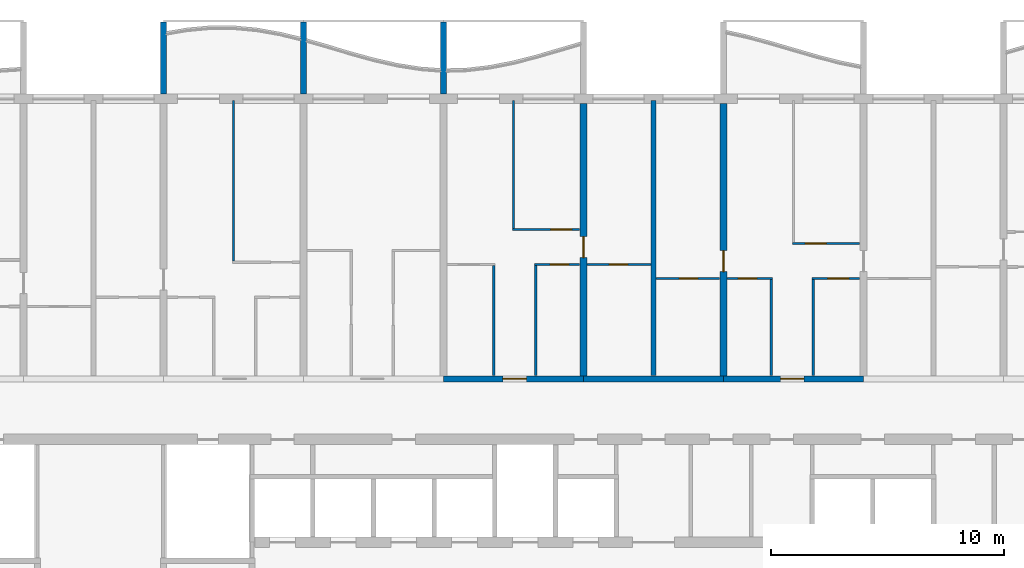
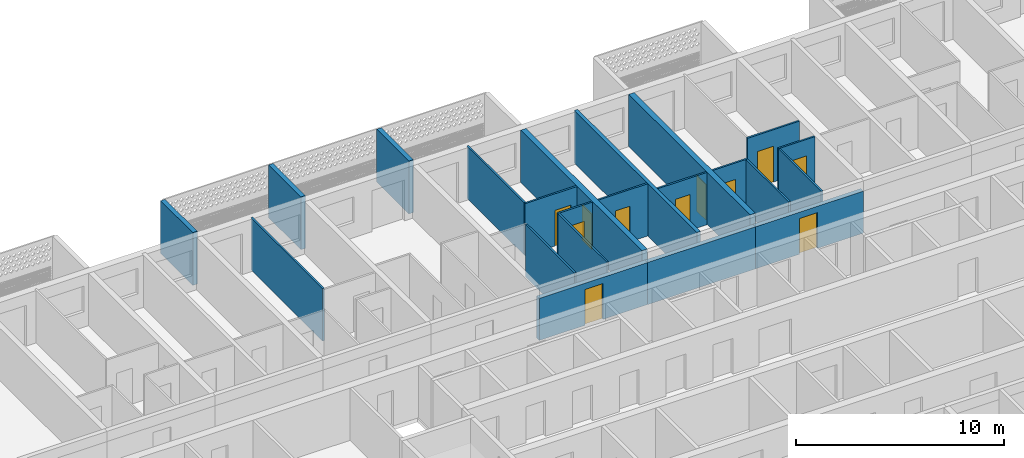
# One storey, part 10 of 33: 22 walls, 11 doors, 11 openings.
"""IFC4 building model written with IfcOpenShell, lengths in metres."""

from ifc_helpers import new_model, si_unit, direction, frame, frame_2d, origin, place, context, subcontext, project, spatial, polyline, rectangle, outline, extrude, source, transform, mapped, material, layer, layer_set, type_object, element, fill, save


model = new_model("IFC4")

# Units and contexts
model_context = context("Model", 3, precision=1e-05, world=origin(), true_north=direction((0.0, 1.0)))
body_context = subcontext(model_context, "Body", "Model", "MODEL_VIEW")
ifc_project = project(units=[si_unit("LENGTHUNIT", "METRE"), si_unit("AREAUNIT", "SQUARE_METRE"), si_unit("VOLUMEUNIT", "CUBIC_METRE"), si_unit("PLANEANGLEUNIT", "RADIAN"), si_unit("MASSUNIT", "GRAM", prefix="KILO")], contexts=[model_context])

# Site, building, storey
site_placement = place(None, origin())
site = spatial("IfcSite", under=ifc_project, at=site_placement, CompositionType="ELEMENT")
building_placement = place(site_placement, origin())
building = spatial("IfcBuilding", under=site, at=building_placement, Name="Poui Terraces", CompositionType="ELEMENT")
storey_placement = place(building_placement, frame((0.0, 0.0, 132.300048828125)))
storey = spatial("IfcBuildingStorey", under=building, at=storey_placement, Name="L36", CompositionType="ELEMENT", Elevation=132.300048828125)

# Wall, opening, door
ifc_material_1 = material(Name="Concrete 65 MPa", Category="concrete")
ifc_layer_1 = layer(ifc_material_1, 0.25)
ifc_layer_set_1 = layer_set([ifc_layer_1], Name="Concrete 65 MPa")
wall_type_1 = type_object("IfcWallType", Name="CORRIDOR WALL 250 65MPa", PredefinedType="SHEAR", material=ifc_layer_set_1)
wall_1_placement = place(storey_placement, frame((42.0, 30.39990234375, 0.0), z_axis=(0.0, 0.0, 1.0), x_axis=(1.0, 0.0, 0.0)))
wall_1 = element("IfcWall", 1, at=wall_1_placement, inside=storey, type_object=wall_type_1, Name="CORRIDOR WALL LINE E BAY 6", PredefinedType="SHEAR", context=body_context, shape_type="SweptSolid", body=[
    extrude(rectangle(XDim=6.0, YDim=0.25, at=frame_2d((3.0, 0.0))), origin(), (0.0, 0.0, 1.0), 2.469970703125),
])
opening_1_placement = place(wall_1_placement, frame((2.550048828125, 0.0, 0.0)))
opening_1 = element("IfcOpeningElement", 2, at=opening_1_placement, cuts=wall_1, Name="Opening FD30S", PredefinedType="OPENING", context=body_context, shape_type="SweptSolid", body=[
    extrude(rectangle(XDim=1.0, YDim=2.10009765625, at=frame_2d((0.5, 1.050048828125))), frame((0.0, 0.135009765625, 0.0), z_axis=(0.0, -1.0, 0.0), x_axis=(1.0, 0.0, 0.0)), (0.0, 0.0, 1.0), 0.27001953125),
])
ifc_material_2 = material(Name="Steel fire door", Category="steel")
door_type_1 = type_object("IfcDoorType", Name="FLAT ENTRANCE DOOR 1000 X 2100", OperationType="NOTDEFINED", PredefinedType="DOOR", material=ifc_material_2)
door_1_placement = place(opening_1_placement, origin())
door_1 = element("IfcDoor", 3, at=door_1_placement, inside=storey, type_object=door_type_1, Name="FLAT ENTRANCE DOOR 049", OperationType="SINGLE_SWING_RIGHT", OverallHeight=2.10009765625, OverallWidth=1.0, PredefinedType="DOOR", context=body_context, shape_type="SweptSolid", body=[
    extrude(rectangle(XDim=1.0, YDim=2.10009765625, at=frame_2d((0.5, 1.050048828125))), frame((0.0, 0.02490234375, 0.0), z_axis=(0.0, -1.0, 0.0), x_axis=(1.0, 0.0, 0.0)), (0.0, 0.0, 1.0), 0.050048828125),
])
fill(opening_1, door_1)

# Wall
wall_2_placement = place(storey_placement, frame((48.0, 30.39990234375, 0.0), z_axis=(0.0, 0.0, 1.0), x_axis=(1.0, 0.0, 0.0)))
element("IfcWall", 4, at=wall_2_placement, inside=storey, type_object=wall_type_1, Name="CORRIDOR WALL LINE E BAY 7", PredefinedType="SHEAR", context=body_context, shape_type="SweptSolid", body=[
    extrude(rectangle(XDim=6.0, YDim=0.25, at=frame_2d((3.0, 0.0))), origin(), (0.0, 0.0, 1.0), 2.469970703125),
])

# Wall, opening, door
wall_3_placement = place(storey_placement, frame((54.0, 30.39990234375, 0.0), z_axis=(0.0, 0.0, 1.0), x_axis=(1.0, 0.0, 0.0)))
wall_3 = element("IfcWall", 5, at=wall_3_placement, inside=storey, type_object=wall_type_1, Name="CORRIDOR WALL LINE E BAY 8", PredefinedType="SHEAR", context=body_context, shape_type="SweptSolid", body=[
    extrude(rectangle(XDim=6.0, YDim=0.25, at=frame_2d((3.0, 0.0))), origin(), (0.0, 0.0, 1.0), 2.469970703125),
])
opening_2_placement = place(wall_3_placement, frame((2.449951171875, 0.0, 0.0)))
opening_2 = element("IfcOpeningElement", 6, at=opening_2_placement, cuts=wall_3, Name="Opening FD30S", PredefinedType="OPENING", context=body_context, shape_type="SweptSolid", body=[
    extrude(rectangle(XDim=1.0, YDim=2.10009765625, at=frame_2d((0.5, 1.050048828125))), frame((0.0, 0.135009765625, 0.0), z_axis=(0.0, -1.0, 0.0), x_axis=(1.0, 0.0, 0.0)), (0.0, 0.0, 1.0), 0.27001953125),
])
door_2_placement = place(opening_2_placement, origin())
door_2 = element("IfcDoor", 7, at=door_2_placement, inside=storey, type_object=door_type_1, Name="FLAT ENTRANCE DOOR 057", OperationType="SINGLE_SWING_LEFT", OverallHeight=2.10009765625, OverallWidth=1.0, PredefinedType="DOOR", context=body_context, shape_type="SweptSolid", body=[
    extrude(rectangle(XDim=1.0, YDim=2.10009765625, at=frame_2d((0.5, 1.050048828125))), frame((0.0, 0.02490234375, 0.0), z_axis=(0.0, -1.0, 0.0), x_axis=(1.0, 0.0, 0.0)), (0.0, 0.0, 1.0), 0.050048828125),
])
fill(opening_2, door_2)

ifc_layer_2 = layer(ifc_material_1, 0.300048828125)
ifc_layer_set_2 = layer_set([ifc_layer_2], Name="Concrete 65 MPa")
wall_type_2 = type_object("IfcWallType", Name="CROSS WALL 300 65MPa", PredefinedType="SHEAR", material=ifc_layer_set_2)
wall_4_placement = place(storey_placement, frame((48.0, 30.52490234375, 0.0), z_axis=(0.0, 0.0, 1.0), x_axis=(0.0, 1.0, 0.0)))
wall_4 = element("IfcWall", 8, at=wall_4_placement, inside=storey, type_object=wall_type_2, Name="CROSS WALL LINE 9 NORTH", PredefinedType="SHEAR", context=body_context, shape_type="SweptSolid", body=[
    extrude(rectangle(XDim=11.675048828125, YDim=0.300048828125, at=frame_2d((5.83740234375, 0.0))), origin(), (0.0, 0.0, 1.0), 3.070068359375),
])
opening_3_placement = place(wall_4_placement, frame((5.074951171875, 0.0, 0.0)))
opening_3 = element("IfcOpeningElement", 9, at=opening_3_placement, cuts=wall_4, Name="Opening D90", PredefinedType="OPENING", context=body_context, shape_type="SweptSolid", body=[
    extrude(rectangle(XDim=0.89990234375, YDim=2.10009765625, at=frame_2d((0.449951171875, 1.050048828125))), frame((0.0, 0.16015625, 0.0), z_axis=(0.0, -1.0, 0.0), x_axis=(1.0, 0.0, 0.0)), (0.0, 0.0, 1.0), 0.320068359375),
])
ifc_material_3 = material(Name="Solid core timber door", Category="wood")
door_type_2 = type_object("IfcDoorType", Name="INTERNAL DOOR 900 X 2100", OperationType="NOTDEFINED", PredefinedType="DOOR", material=ifc_material_3)
door_3_placement = place(opening_3_placement, frame((0.89990234375, 0.0, 0.0), z_axis=(0.0, 0.0, 1.0), x_axis=(-1.0, 0.0, 0.0)))
door_3 = element("IfcDoor", 10, at=door_3_placement, inside=storey, type_object=door_type_2, Name="INTERNAL DOOR 052", OperationType="SINGLE_SWING_RIGHT", OverallHeight=2.10009765625, OverallWidth=0.89990234375, PredefinedType="DOOR", context=body_context, shape_type="SweptSolid", body=[
    extrude(rectangle(XDim=0.89990234375, YDim=2.10009765625, at=frame_2d((0.449951171875, 1.050048828125))), frame((0.0, 0.02490234375, 0.0), z_axis=(0.0, -1.0, 0.0), x_axis=(1.0, 0.0, 0.0)), (0.0, 0.0, 1.0), 0.050048828125),
])
fill(opening_3, door_3)

wall_5_placement = place(storey_placement, frame((54.0, 30.52490234375, 0.0), z_axis=(0.0, 0.0, 1.0), x_axis=(0.0, 1.0, 0.0)))
wall_5 = element("IfcWall", 11, at=wall_5_placement, inside=storey, type_object=wall_type_2, Name="CROSS WALL LINE 10 NORTH", PredefinedType="SHEAR", context=body_context, shape_type="SweptSolid", body=[
    extrude(rectangle(XDim=11.675048828125, YDim=0.300048828125, at=frame_2d((5.83740234375, 0.0))), origin(), (0.0, 0.0, 1.0), 3.070068359375),
])
opening_4_placement = place(wall_5_placement, frame((4.47509765625, 0.0, 0.0)))
opening_4 = element("IfcOpeningElement", 12, at=opening_4_placement, cuts=wall_5, Name="Opening D90", PredefinedType="OPENING", context=body_context, shape_type="SweptSolid", body=[
    extrude(rectangle(XDim=0.89990234375, YDim=2.10009765625, at=frame_2d((0.449951171875, 1.050048828125))), frame((0.0, 0.16015625, 0.0), z_axis=(0.0, -1.0, 0.0), x_axis=(1.0, 0.0, 0.0)), (0.0, 0.0, 1.0), 0.320068359375),
])
door_4_placement = place(opening_4_placement, origin())
door_4 = element("IfcDoor", 13, at=door_4_placement, inside=storey, type_object=door_type_2, Name="INTERNAL DOOR 055", OperationType="SINGLE_SWING_LEFT", OverallHeight=2.10009765625, OverallWidth=0.89990234375, PredefinedType="DOOR", context=body_context, shape_type="SweptSolid", body=[
    extrude(rectangle(XDim=0.89990234375, YDim=2.10009765625, at=frame_2d((0.449951171875, 1.050048828125))), frame((0.0, 0.02490234375, 0.0), z_axis=(0.0, -1.0, 0.0), x_axis=(1.0, 0.0, 0.0)), (0.0, 0.0, 1.0), 0.050048828125),
])
fill(opening_4, door_4)

ifc_material_4 = material(Name="Plasterboard partition")
ifc_layer_3 = layer(ifc_material_4, 0.10009765625)
ifc_layer_set_3 = layer_set([ifc_layer_3], Name="Plasterboard partition")
wall_type_3 = type_object("IfcWallType", Name="FLAT PARTITION 100", PredefinedType="PARTITIONING", material=ifc_layer_set_3)
wall_6_placement = place(storey_placement, frame((51.10009765625, 34.699951171875, 0.0), z_axis=(0.0, 0.0, 1.0), x_axis=(1.0, 0.0, 0.0)))
wall_6 = element("IfcWall", 14, at=wall_6_placement, inside=storey, type_object=wall_type_3, Name="FLAT PARTITION 100", PredefinedType="PARTITIONING", context=body_context, shape_type="SweptSolid", body=[
    extrude(rectangle(XDim=2.739990234375, YDim=0.10009765625, at=frame_2d((1.3701171875, 0.0))), origin(), (0.0, 0.0, 1.0), 3.070068359375),
])
opening_5_placement = place(wall_6_placement, frame((1.0, 0.0, 0.0)))
opening_5 = element("IfcOpeningElement", 15, at=opening_5_placement, cuts=wall_6, Name="Opening D80", PredefinedType="OPENING", context=body_context, shape_type="SweptSolid", body=[
    extrude(rectangle(XDim=0.800048828125, YDim=2.10009765625, at=frame_2d((0.39990234375, 1.050048828125))), frame((0.0, 0.06005859375, 0.0), z_axis=(0.0, -1.0, 0.0), x_axis=(1.0, 0.0, 0.0)), (0.0, 0.0, 1.0), 0.1201171875),
])
door_type_3 = type_object("IfcDoorType", Name="BATHROOM, LAUNDRY AND STORE DOOR 800 X 2100", OperationType="NOTDEFINED", PredefinedType="DOOR", material=ifc_material_3)
door_5_placement = place(opening_5_placement, frame((0.800048828125, 0.0, 0.0), z_axis=(0.0, 0.0, 1.0), x_axis=(-1.0, 0.0, 0.0)))
door_5 = element("IfcDoor", 16, at=door_5_placement, inside=storey, type_object=door_type_3, Name="BATHROOM, LAUNDRY AND STORE DOOR 053", OperationType="SINGLE_SWING_LEFT", OverallHeight=2.10009765625, OverallWidth=0.800048828125, PredefinedType="DOOR", context=body_context, shape_type="SweptSolid", body=[
    extrude(rectangle(XDim=0.800048828125, YDim=2.10009765625, at=frame_2d((0.39990234375, 1.050048828125))), frame((0.0, 0.02490234375, 0.0), z_axis=(0.0, -1.0, 0.0), x_axis=(1.0, 0.0, 0.0)), (0.0, 0.0, 1.0), 0.050048828125),
])
fill(opening_5, door_5)

wall_7_placement = place(storey_placement, frame((54.159912109375, 34.699951171875, 0.0), z_axis=(0.0, 0.0, 1.0), x_axis=(1.0, 0.0, 0.0)))
wall_7 = element("IfcWall", 17, at=wall_7_placement, inside=storey, type_object=wall_type_3, Name="FLAT PARTITION 100", PredefinedType="PARTITIONING", context=body_context, shape_type="SweptSolid", body=[
    extrude(rectangle(XDim=1.940185546875, YDim=0.10009765625, at=frame_2d((0.97021484375, 0.0))), origin(), (0.0, 0.0, 1.0), 3.070068359375),
])
opening_6_placement = place(wall_7_placement, frame((0.465087890625, 0.0, 0.0)))
opening_6 = element("IfcOpeningElement", 18, at=opening_6_placement, cuts=wall_7, Name="Opening D80", PredefinedType="OPENING", context=body_context, shape_type="SweptSolid", body=[
    extrude(rectangle(XDim=0.800048828125, YDim=2.10009765625, at=frame_2d((0.39990234375, 1.050048828125))), frame((0.0, 0.06005859375, 0.0), z_axis=(0.0, -1.0, 0.0), x_axis=(1.0, 0.0, 0.0)), (0.0, 0.0, 1.0), 0.1201171875),
])
door_6_placement = place(opening_6_placement, frame((0.800048828125, 0.0, 0.0), z_axis=(0.0, 0.0, 1.0), x_axis=(-1.0, 0.0, 0.0)))
door_6 = element("IfcDoor", 19, at=door_6_placement, inside=storey, type_object=door_type_3, Name="BATHROOM, LAUNDRY AND STORE DOOR 056", OperationType="SINGLE_SWING_LEFT", OverallHeight=2.10009765625, OverallWidth=0.800048828125, PredefinedType="DOOR", context=body_context, shape_type="SweptSolid", body=[
    extrude(rectangle(XDim=0.800048828125, YDim=2.10009765625, at=frame_2d((0.39990234375, 1.050048828125))), frame((0.0, 0.02490234375, 0.0), z_axis=(0.0, -1.0, 0.0), x_axis=(1.0, 0.0, 0.0)), (0.0, 0.0, 1.0), 0.050048828125),
])
fill(opening_6, door_6)

wall_8_placement = place(storey_placement, frame((57.800048828125, 34.699951171875, 0.0), z_axis=(0.0, 0.0, 1.0), x_axis=(1.0, 0.0, 0.0)))
wall_8 = element("IfcWall", 20, at=wall_8_placement, inside=storey, type_object=wall_type_3, Name="FLAT PARTITION 100", PredefinedType="PARTITIONING", context=body_context, shape_type="SweptSolid", body=[
    extrude(rectangle(XDim=2.0400390625, YDim=0.10009765625, at=frame_2d((1.02001953125, 0.0))), origin(), (0.0, 0.0, 1.0), 3.070068359375),
])
opening_7_placement = place(wall_8_placement, frame((0.675048828125, 0.0, 0.0)))
opening_7 = element("IfcOpeningElement", 21, at=opening_7_placement, cuts=wall_8, Name="Opening D90", PredefinedType="OPENING", context=body_context, shape_type="SweptSolid", body=[
    extrude(rectangle(XDim=0.89990234375, YDim=2.10009765625, at=frame_2d((0.449951171875, 1.050048828125))), frame((0.0, 0.06005859375, 0.0), z_axis=(0.0, -1.0, 0.0), x_axis=(1.0, 0.0, 0.0)), (0.0, 0.0, 1.0), 0.1201171875),
])
door_7_placement = place(opening_7_placement, frame((0.89990234375, 0.0, 0.0), z_axis=(0.0, 0.0, 1.0), x_axis=(-1.0, 0.0, 0.0)))
door_7 = element("IfcDoor", 22, at=door_7_placement, inside=storey, type_object=door_type_2, Name="INTERNAL DOOR 059", OperationType="SINGLE_SWING_RIGHT", OverallHeight=2.10009765625, OverallWidth=0.89990234375, PredefinedType="DOOR", context=body_context, shape_type="SweptSolid", body=[
    extrude(rectangle(XDim=0.89990234375, YDim=2.10009765625, at=frame_2d((0.449951171875, 1.050048828125))), frame((0.0, 0.02490234375, 0.0), z_axis=(0.0, -1.0, 0.0), x_axis=(1.0, 0.0, 0.0)), (0.0, 0.0, 1.0), 0.050048828125),
])
fill(opening_7, door_7)

wall_9_placement = place(storey_placement, frame((45.89990234375, 35.300048828125, 0.0), z_axis=(0.0, 0.0, 1.0), x_axis=(1.0, 0.0, 0.0)))
wall_9 = element("IfcWall", 23, at=wall_9_placement, inside=storey, type_object=wall_type_3, Name="FLAT PARTITION 100", PredefinedType="PARTITIONING", context=body_context, shape_type="SweptSolid", body=[
    extrude(rectangle(XDim=1.940185546875, YDim=0.10009765625, at=frame_2d((0.97021484375, 0.0))), origin(), (0.0, 0.0, 1.0), 3.070068359375),
])
opening_8_placement = place(wall_9_placement, frame((0.675048828125, 0.0, 0.0)))
opening_8 = element("IfcOpeningElement", 24, at=opening_8_placement, cuts=wall_9, Name="Opening D80", PredefinedType="OPENING", context=body_context, shape_type="SweptSolid", body=[
    extrude(rectangle(XDim=0.800048828125, YDim=2.10009765625, at=frame_2d((0.39990234375, 1.050048828125))), frame((0.0, 0.06005859375, 0.0), z_axis=(0.0, -1.0, 0.0), x_axis=(1.0, 0.0, 0.0)), (0.0, 0.0, 1.0), 0.1201171875),
])
door_8_placement = place(opening_8_placement, frame((0.800048828125, 0.0, 0.0), z_axis=(0.0, 0.0, 1.0), x_axis=(-1.0, 0.0, 0.0)))
door_8 = element("IfcDoor", 25, at=door_8_placement, inside=storey, type_object=door_type_3, Name="BATHROOM, LAUNDRY AND STORE DOOR 050", OperationType="SINGLE_SWING_LEFT", OverallHeight=2.10009765625, OverallWidth=0.800048828125, PredefinedType="DOOR", context=body_context, shape_type="SweptSolid", body=[
    extrude(rectangle(XDim=0.800048828125, YDim=2.10009765625, at=frame_2d((0.39990234375, 1.050048828125))), frame((0.0, 0.02490234375, 0.0), z_axis=(0.0, -1.0, 0.0), x_axis=(1.0, 0.0, 0.0)), (0.0, 0.0, 1.0), 0.050048828125),
])
fill(opening_8, door_8)

wall_10_placement = place(storey_placement, frame((48.159912109375, 35.300048828125, 0.0), z_axis=(0.0, 0.0, 1.0), x_axis=(1.0, 0.0, 0.0)))
wall_10 = element("IfcWall", 26, at=wall_10_placement, inside=storey, type_object=wall_type_3, Name="FLAT PARTITION 100", PredefinedType="PARTITIONING", context=body_context, shape_type="SweptSolid", body=[
    extrude(rectangle(XDim=2.739990234375, YDim=0.10009765625, at=frame_2d((1.3701171875, 0.0))), origin(), (0.0, 0.0, 1.0), 3.070068359375),
])
opening_9_placement = place(wall_10_placement, frame((0.93994140625, 0.0, 0.0)))
opening_9 = element("IfcOpeningElement", 27, at=opening_9_placement, cuts=wall_10, Name="Opening D80", PredefinedType="OPENING", context=body_context, shape_type="SweptSolid", body=[
    extrude(rectangle(XDim=0.800048828125, YDim=2.10009765625, at=frame_2d((0.39990234375, 1.050048828125))), frame((0.0, 0.06005859375, 0.0), z_axis=(0.0, -1.0, 0.0), x_axis=(1.0, 0.0, 0.0)), (0.0, 0.0, 1.0), 0.1201171875),
])
door_9_placement = place(opening_9_placement, frame((0.800048828125, 0.0, 0.0), z_axis=(0.0, 0.0, 1.0), x_axis=(-1.0, 0.0, 0.0)))
door_9 = element("IfcDoor", 28, at=door_9_placement, inside=storey, type_object=door_type_3, Name="BATHROOM, LAUNDRY AND STORE DOOR 047", OperationType="SINGLE_SWING_RIGHT", OverallHeight=2.10009765625, OverallWidth=0.800048828125, PredefinedType="DOOR", context=body_context, shape_type="SweptSolid", body=[
    extrude(rectangle(XDim=0.800048828125, YDim=2.10009765625, at=frame_2d((0.39990234375, 1.050048828125))), frame((0.0, 0.02490234375, 0.0), z_axis=(0.0, -1.0, 0.0), x_axis=(1.0, 0.0, 0.0)), (0.0, 0.0, 1.0), 0.050048828125),
])
fill(opening_9, door_9)

wall_11_placement = place(storey_placement, frame((56.949951171875, 36.199951171875, 0.0), z_axis=(0.0, 0.0, 1.0), x_axis=(1.0, 0.0, 0.0)))
wall_11 = element("IfcWall", 29, at=wall_11_placement, inside=storey, type_object=wall_type_3, Name="FLAT PARTITION 100", PredefinedType="PARTITIONING", context=body_context, shape_type="SweptSolid", body=[
    extrude(rectangle(XDim=2.89013671875, YDim=0.10009765625, at=frame_2d((1.445068359375, 0.0))), origin(), (0.0, 0.0, 1.0), 3.070068359375),
])
opening_10_placement = place(wall_11_placement, frame((0.550048828125, 0.0, 0.0)))
opening_10 = element("IfcOpeningElement", 30, at=opening_10_placement, cuts=wall_11, Name="Opening D90", PredefinedType="OPENING", context=body_context, shape_type="SweptSolid", body=[
    extrude(rectangle(XDim=0.89990234375, YDim=2.10009765625, at=frame_2d((0.449951171875, 1.050048828125))), frame((0.0, 0.06005859375, 0.0), z_axis=(0.0, -1.0, 0.0), x_axis=(1.0, 0.0, 0.0)), (0.0, 0.0, 1.0), 0.1201171875),
])
door_10_placement = place(opening_10_placement, frame((0.89990234375, 0.0, 0.0), z_axis=(0.0, 0.0, 1.0), x_axis=(-1.0, 0.0, 0.0)))
door_10 = element("IfcDoor", 31, at=door_10_placement, inside=storey, type_object=door_type_2, Name="INTERNAL DOOR 058", OperationType="SINGLE_SWING_LEFT", OverallHeight=2.10009765625, OverallWidth=0.89990234375, PredefinedType="DOOR", context=body_context, shape_type="SweptSolid", body=[
    extrude(rectangle(XDim=0.89990234375, YDim=2.10009765625, at=frame_2d((0.449951171875, 1.050048828125))), frame((0.0, 0.02490234375, 0.0), z_axis=(0.0, -1.0, 0.0), x_axis=(1.0, 0.0, 0.0)), (0.0, 0.0, 1.0), 0.050048828125),
])
fill(opening_10, door_10)

wall_12_placement = place(storey_placement, frame((44.949951171875, 36.800048828125, 0.0), z_axis=(0.0, 0.0, 1.0), x_axis=(1.0, 0.0, 0.0)))
wall_12 = element("IfcWall", 32, at=wall_12_placement, inside=storey, type_object=wall_type_3, Name="FLAT PARTITION 100", PredefinedType="PARTITIONING", context=body_context, shape_type="SweptSolid", body=[
    extrude(rectangle(XDim=2.89013671875, YDim=0.10009765625, at=frame_2d((1.445068359375, 0.0))), origin(), (0.0, 0.0, 1.0), 3.070068359375),
])
opening_11_placement = place(wall_12_placement, frame((1.64990234375, 0.0, 0.0)))
opening_11 = element("IfcOpeningElement", 33, at=opening_11_placement, cuts=wall_12, Name="Opening D90", PredefinedType="OPENING", context=body_context, shape_type="SweptSolid", body=[
    extrude(rectangle(XDim=0.89990234375, YDim=2.10009765625, at=frame_2d((0.449951171875, 1.050048828125))), frame((0.0, 0.06005859375, 0.0), z_axis=(0.0, -1.0, 0.0), x_axis=(1.0, 0.0, 0.0)), (0.0, 0.0, 1.0), 0.1201171875),
])
door_11_placement = place(opening_11_placement, frame((0.89990234375, 0.0, 0.0), z_axis=(0.0, 0.0, 1.0), x_axis=(-1.0, 0.0, 0.0)))
door_11 = element("IfcDoor", 34, at=door_11_placement, inside=storey, type_object=door_type_2, Name="INTERNAL DOOR 051", OperationType="SINGLE_SWING_RIGHT", OverallHeight=2.10009765625, OverallWidth=0.89990234375, PredefinedType="DOOR", context=body_context, shape_type="SweptSolid", body=[
    extrude(rectangle(XDim=0.89990234375, YDim=2.10009765625, at=frame_2d((0.449951171875, 1.050048828125))), frame((0.0, 0.02490234375, 0.0), z_axis=(0.0, -1.0, 0.0), x_axis=(1.0, 0.0, 0.0)), (0.0, 0.0, 1.0), 0.050048828125),
])
fill(opening_11, door_11)

# Walls
wall_13_placement = place(storey_placement, frame((33.0, 35.449951171875, 0.0), z_axis=(0.0, 0.0, 1.0), x_axis=(0.0, 1.0, 0.0)))
element("IfcWall", 35, at=wall_13_placement, inside=storey, type_object=wall_type_3, Name="FLAT PARTITION 100", PredefinedType="PARTITIONING", context=body_context, shape_type="SweptSolid", body=[
    extrude(rectangle(XDim=6.89013671875, YDim=0.10009765625, at=frame_2d((3.445068359375, 0.0))), origin(), (0.0, 0.0, 1.0), 3.070068359375),
])
wall_14_placement = place(storey_placement, frame((44.14990234375, 30.534912109375, 0.0), z_axis=(0.0, 0.0, 1.0), x_axis=(0.0, 1.0, 0.0)))
element("IfcWall", 36, at=wall_14_placement, inside=storey, type_object=wall_type_3, Name="FLAT PARTITION 100", PredefinedType="PARTITIONING", context=body_context, shape_type="SweptSolid", body=[
    extrude(rectangle(XDim=4.715087890625, YDim=0.10009765625, at=frame_2d((2.357421875, 0.0))), origin(), (0.0, 0.0, 1.0), 3.070068359375),
])
wall_15_placement = place(storey_placement, frame((45.0, 36.85009765625, 0.0), z_axis=(0.0, 0.0, 1.0), x_axis=(0.0, 1.0, 0.0)))
element("IfcWall", 37, at=wall_15_placement, inside=storey, type_object=wall_type_3, Name="FLAT PARTITION 100", PredefinedType="PARTITIONING", context=body_context, shape_type="SweptSolid", body=[
    extrude(rectangle(XDim=5.489990234375, YDim=0.10009765625, at=frame_2d((2.7451171875, 0.0))), origin(), (0.0, 0.0, 1.0), 3.070068359375),
])
wall_16_placement = place(storey_placement, frame((45.949951171875, 30.534912109375, 0.0), z_axis=(0.0, 0.0, 1.0), x_axis=(0.0, 1.0, 0.0)))
element("IfcWall", 38, at=wall_16_placement, inside=storey, type_object=wall_type_3, Name="FLAT PARTITION 100", PredefinedType="PARTITIONING", context=body_context, shape_type="SweptSolid", body=[
    extrude(rectangle(XDim=4.715087890625, YDim=0.10009765625, at=frame_2d((2.357421875, 0.0))), origin(), (0.0, 0.0, 1.0), 3.070068359375),
])
for number, where, z_axis, x_axis, name in (
    (39, (56.050048828125, 30.534912109375, 0.0), (0.0, 0.0, 1.0), (0.0, 1.0, 0.0), "FLAT PARTITION 100"),
    (40, (57.85009765625, 30.534912109375, 0.0), (0.0, 0.0, 1.0), (0.0, 1.0, 0.0), "FLAT PARTITION 100"),
):
    element("IfcWall", number, at=place(storey_placement, frame(where, z_axis=z_axis, x_axis=x_axis)), inside=storey, type_object=wall_type_3, Name=name, PredefinedType="PARTITIONING", context=body_context, shape_type="SweptSolid", body=[
        extrude(rectangle(XDim=4.114990234375, YDim=0.10009765625, at=frame_2d((2.0576171875, 0.0))), origin(), (0.0, 0.0, 1.0), 3.070068359375),
    ])
ifc_material_5 = material(Name="Fire-rated masonry wall", Category="masonry")
ifc_layer_4 = layer(ifc_material_5, 0.199951171875)
ifc_layer_set_4 = layer_set([ifc_layer_4], Name="Fire-rated masonry wall")
wall_type_4 = type_object("IfcWallType", Name="FLAT PARTY WALL 200", PredefinedType="PARTITIONING", material=ifc_layer_set_4)
wall_17_placement = place(storey_placement, frame((51.0, 30.534912109375, 0.0), z_axis=(0.0, 0.0, 1.0), x_axis=(0.0, 1.0, 0.0)))
element("IfcWall", 41, at=wall_17_placement, inside=storey, type_object=wall_type_4, Name="FLAT PARTY WALL 200", PredefinedType="PARTITIONING", context=body_context, shape_type="SweptSolid", body=[
    extrude(rectangle(XDim=11.80517578125, YDim=0.199951171875, at=frame_2d((5.902587890625, 0.0))), origin(), (0.0, 0.0, 1.0), 3.070068359375),
])
ifc_material_6 = material(Name="Precast concrete 40 MPa", Category="concrete")
ifc_layer_5 = layer(ifc_material_6, 0.25)
ifc_layer_set_5 = layer_set([ifc_layer_5], Name="Precast concrete 40 MPa")
wall_type_5 = type_object("IfcWallType", Name="BALCONY FIN 250", PredefinedType="STANDARD", material=ifc_layer_set_5)
shared_shape = source(origin(), body_context, "Body", "SweptSolid", [
    extrude(outline(polyline([(0.0, 0.0), (0.25, 0.0), (0.25, 3.099853515625), (0.0, 3.099853515625), (0.0, 0.0)])), origin(), (0.0, 0.0, 1.0), 3.099853515625),
])
for number, where, name in (
    (42, (29.875, 42.60009765625, 0.0), "BALCONY FIN"),
    (43, (35.875, 42.60009765625, 0.0), "BALCONY FIN"),
    (44, (41.875, 42.60009765625, 0.0), "BALCONY FIN"),
):
    element("IfcWall", number, at=place(storey_placement, frame(where)), inside=storey, type_object=wall_type_5, Name=name, PredefinedType="STANDARD", context=body_context, shape_type="MappedRepresentation", body=[
        mapped(shared_shape, transform((0.0, 0.0, 0.0))),
    ])

save(model, "model.ifc")
